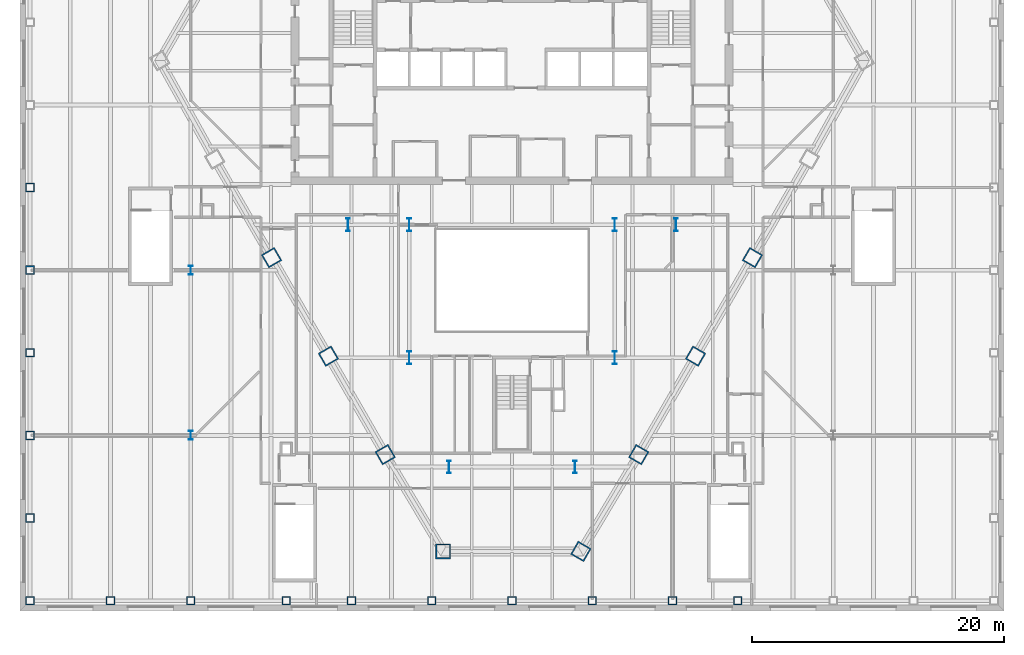
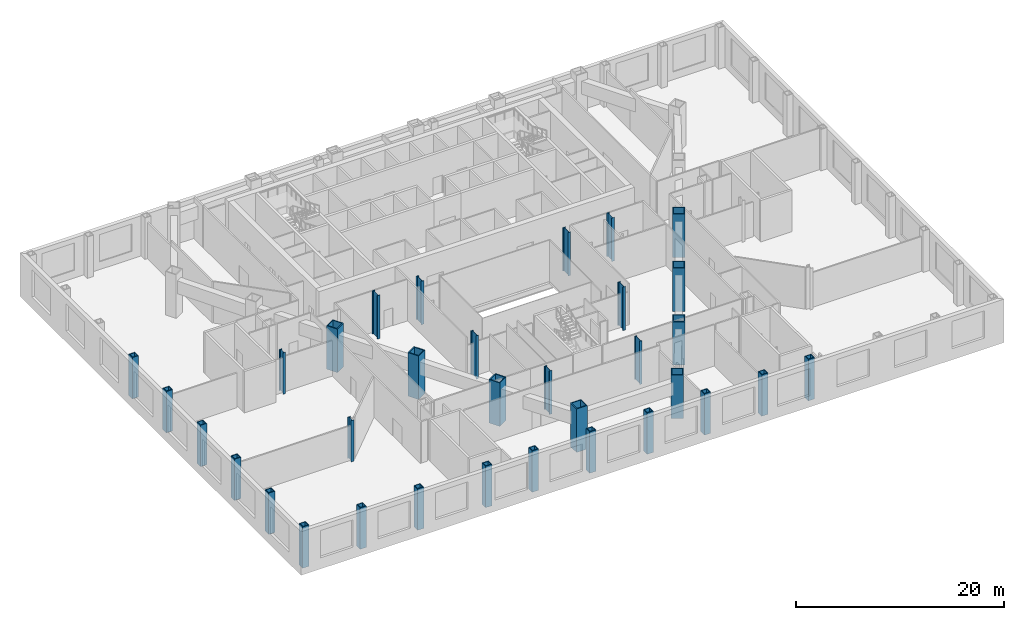
# One storey, part 1 of 17: 33 columns.
"""IFC4 building model written with IfcOpenShell, lengths in metres."""

from ifc_helpers import new_model, si_unit, direction, frame, origin, origin_2d, place, context, subcontext, project, spatial, hollow_rectangle, i_section, extrude, material, material_profile, profile_set, type_object, element, save


model = new_model("IFC4")

# Units and contexts
model_context = context("Model", 3, precision=1e-05, world=origin(), true_north=direction((0.0, 1.0)))
body_context = subcontext(model_context, "Body", "Model", "MODEL_VIEW")
ifc_project = project(units=[si_unit("LENGTHUNIT", "METRE"), si_unit("AREAUNIT", "SQUARE_METRE"), si_unit("VOLUMEUNIT", "CUBIC_METRE"), si_unit("PLANEANGLEUNIT", "RADIAN"), si_unit("MASSUNIT", "GRAM", prefix="KILO")], contexts=[model_context])

# Site, building, storey
site_placement = place(None, origin())
site = spatial("IfcSite", under=ifc_project, at=site_placement, CompositionType="ELEMENT")
building_placement = place(site_placement, origin())
building = spatial("IfcBuilding", under=site, at=building_placement, Name="Njiva Tower", CompositionType="ELEMENT")
storey_placement = place(building_placement, frame((0.0, 0.0, 23.7)))
storey = spatial("IfcBuildingStorey", under=building, at=storey_placement, Name="L04", CompositionType="ELEMENT", Elevation=23.7)

# Columns
ifc_material = material(Name="Steel S355 J2", Category="steel")
ifc_material_profile_1 = material_profile(ifc_material, hollow_rectangle(XDim=1.2, YDim=1.2, WallThickness=0.1, at=origin_2d()), Name="BOX 1200x1200x100")
ifc_profile_set_1 = profile_set([ifc_material_profile_1], Name="Steel S355 J2")
column_type_1 = type_object("IfcColumnType", Name="C1 Mega-column BOX 1200x1200x100", PredefinedType="COLUMN", material=ifc_profile_set_1)
for number, where, z_axis, x_axis, name in (
    (1, (-19.061, -5.807, 0.0), (0.0, 0.0, 1.0), (0.5, -0.866025403784, 0.0), "Mega-column L04-C09"),
    (2, (-14.553, -13.615, 0.0), (0.0, 0.0, 1.0), (0.5, -0.866025403784, 0.0), "Mega-column L04-C10"),
    (3, (-10.046, -21.422, 0.0), (0.0, 0.0, 1.0), (0.5, -0.866025403784, 0.0), "Mega-column L04-C11"),
    (4, (-5.461, -29.096, 0.0), (0.0, 0.0, 1.0), (1.0, 0.0, 0.0), "Mega-column L04-C12"),
    (5, (5.461, -29.096, 0.0), (0.0, 0.0, 1.0), (0.5, 0.866025403784, 0.0), "Mega-column L04-C13"),
    (6, (10.046, -21.422, 0.0), (0.0, 0.0, 1.0), (0.5, 0.866025403784, 0.0), "Mega-column L04-C14"),
    (7, (14.553, -13.615, 0.0), (0.0, 0.0, 1.0), (0.5, 0.866025403784, 0.0), "Mega-column L04-C15"),
    (8, (19.061, -5.807, 0.0), (0.0, 0.0, 1.0), (0.5, 0.866025403784, 0.0), "Mega-column L04-C16"),
):
    element("IfcColumn", number, at=place(storey_placement, frame(where, z_axis=z_axis, x_axis=x_axis)), inside=storey, type_object=column_type_1, Name=name, PredefinedType="COLUMN", context=body_context, shape_type="SweptSolid", body=[
        extrude(hollow_rectangle(XDim=1.2, YDim=1.2, WallThickness=0.1, at=origin_2d()), origin(), (0.0, 0.0, 1.0), 5.1),
    ])
ifc_material_profile_2 = material_profile(ifc_material, i_section(OverallWidth=0.302, OverallDepth=1.008, WebThickness=0.021, FlangeThickness=0.04, at=origin_2d()), Name="HEM 1000")
ifc_profile_set_2 = profile_set([ifc_material_profile_2], Name="Steel S355 J2")
column_type_2 = type_object("IfcColumnType", Name="C2 Interior column HEM 1000", PredefinedType="COLUMN", material=ifc_profile_set_2)
for number, where, z_axis, x_axis, name in (
    (9, (8.15, -3.2, 0.0), (0.0, 0.0, 1.0), (1.0, 0.0, 0.0), "Interior column L04-C19"),
    (10, (-8.15, -3.2, 0.0), (0.0, 0.0, 1.0), (1.0, 0.0, 0.0), "Interior column L04-C20"),
    (11, (8.15, -13.75, 0.0), (0.0, 0.0, 1.0), (1.0, 0.0, 0.0), "Interior column L04-C21"),
    (12, (-8.15, -13.75, 0.0), (0.0, 0.0, 1.0), (1.0, 0.0, 0.0), "Interior column L04-C22"),
    (13, (5.0, -22.4, 0.0), (0.0, 0.0, 1.0), (1.0, 0.0, 0.0), "Interior column L04-C23"),
    (14, (-5.0, -22.4, 0.0), (0.0, 0.0, 1.0), (1.0, 0.0, 0.0), "Interior column L04-C24"),
    (15, (13.0, -3.2, 0.0), (0.0, 0.0, 1.0), (1.0, 0.0, 0.0), "Interior column L04-C25"),
    (16, (-13.0, -3.2, 0.0), (0.0, 0.0, 1.0), (1.0, 0.0, 0.0), "Interior column L04-C26"),
):
    element("IfcColumn", number, at=place(storey_placement, frame(where, z_axis=z_axis, x_axis=x_axis)), inside=storey, type_object=column_type_2, Name=name, PredefinedType="COLUMN", context=body_context, shape_type="SweptSolid", body=[
        extrude(i_section(OverallWidth=0.302, OverallDepth=1.008, WebThickness=0.021, FlangeThickness=0.04, at=origin_2d()), origin(), (0.0, 0.0, 1.0), 5.1),
    ])
ifc_material_profile_3 = material_profile(ifc_material, hollow_rectangle(XDim=0.7, YDim=0.7, WallThickness=0.08, at=origin_2d()), Name="BOX 700x700x80")
ifc_profile_set_3 = profile_set([ifc_material_profile_3], Name="Steel S355 J2")
column_type_3 = type_object("IfcColumnType", Name="C3 Podium perimeter column BOX 700x700x80", PredefinedType="COLUMN", material=ifc_profile_set_3)
for number, where, z_axis, x_axis, name in (
    (17, (-38.2, -0.25, 0.0), (0.0, 0.0, 1.0), (0.0, -1.0, 0.0), "Podium perimeter column L04-C45"),
    (18, (-38.2, -6.8, 0.0), (0.0, 0.0, 1.0), (0.0, -1.0, 0.0), "Podium perimeter column L04-C46"),
    (19, (-38.2, -13.35, 0.0), (0.0, 0.0, 1.0), (0.0, -1.0, 0.0), "Podium perimeter column L04-C47"),
    (20, (-38.2, -19.9, 0.0), (0.0, 0.0, 1.0), (0.0, -1.0, 0.0), "Podium perimeter column L04-C48"),
    (21, (-38.2, -26.45, 0.0), (0.0, 0.0, 1.0), (0.0, -1.0, 0.0), "Podium perimeter column L04-C49"),
    (22, (-38.2, -33.0, 0.0), (0.0, 0.0, 1.0), (1.0, 0.0, 0.0), "Podium perimeter column L04-C50"),
    (23, (-31.833, -33.0, 0.0), (0.0, 0.0, 1.0), (1.0, 0.0, 0.0), "Podium perimeter column L04-C51"),
    (24, (-25.467, -33.0, 0.0), (0.0, 0.0, 1.0), (1.0, 0.0, 0.0), "Podium perimeter column L04-C52"),
    (25, (-17.9, -33.0, 0.0), (0.0, 0.0, 1.0), (1.0, 0.0, 0.0), "Podium perimeter column L04-C53"),
    (26, (-12.733, -33.0, 0.0), (0.0, 0.0, 1.0), (1.0, 0.0, 0.0), "Podium perimeter column L04-C54"),
    (27, (-6.367, -33.0, 0.0), (0.0, 0.0, 1.0), (1.0, 0.0, 0.0), "Podium perimeter column L04-C55"),
    (28, (0.0, -33.0, 0.0), (0.0, 0.0, 1.0), (1.0, 0.0, 0.0), "Podium perimeter column L04-C56"),
    (29, (6.367, -33.0, 0.0), (0.0, 0.0, 1.0), (1.0, 0.0, 0.0), "Podium perimeter column L04-C57"),
    (30, (12.733, -33.0, 0.0), (0.0, 0.0, 1.0), (1.0, 0.0, 0.0), "Podium perimeter column L04-C58"),
    (31, (17.9, -33.0, 0.0), (0.0, 0.0, 1.0), (1.0, 0.0, 0.0), "Podium perimeter column L04-C59"),
):
    element("IfcColumn", number, at=place(storey_placement, frame(where, z_axis=z_axis, x_axis=x_axis)), inside=storey, type_object=column_type_3, Name=name, PredefinedType="COLUMN", context=body_context, shape_type="SweptSolid", body=[
        extrude(hollow_rectangle(XDim=0.7, YDim=0.7, WallThickness=0.08, at=origin_2d()), origin(), (0.0, 0.0, 1.0), 4.85),
    ])
ifc_material_profile_4 = material_profile(ifc_material, i_section(OverallWidth=0.304, OverallDepth=0.716, WebThickness=0.021, FlangeThickness=0.04, at=origin_2d()), Name="HEM 700")
ifc_profile_set_4 = profile_set([ifc_material_profile_4], Name="Steel S355 J2")
column_type_4 = type_object("IfcColumnType", Name="C4 Station column HEM 700", PredefinedType="COLUMN", material=ifc_profile_set_4)
for number, where, z_axis, x_axis, name in (
    (32, (-25.467, -6.8, 0.0), (0.0, 0.0, 1.0), (1.0, 0.0, 0.0), "Station column L04-C62"),
    (33, (-25.467, -19.9, 0.0), (0.0, 0.0, 1.0), (1.0, 0.0, 0.0), "Station column L04-C63"),
):
    element("IfcColumn", number, at=place(storey_placement, frame(where, z_axis=z_axis, x_axis=x_axis)), inside=storey, type_object=column_type_4, Name=name, PredefinedType="COLUMN", context=body_context, shape_type="SweptSolid", body=[
        extrude(i_section(OverallWidth=0.304, OverallDepth=0.716, WebThickness=0.021, FlangeThickness=0.04, at=origin_2d()), origin(), (0.0, 0.0, 1.0), 4.85),
    ])

save(model, "model.ifc")
